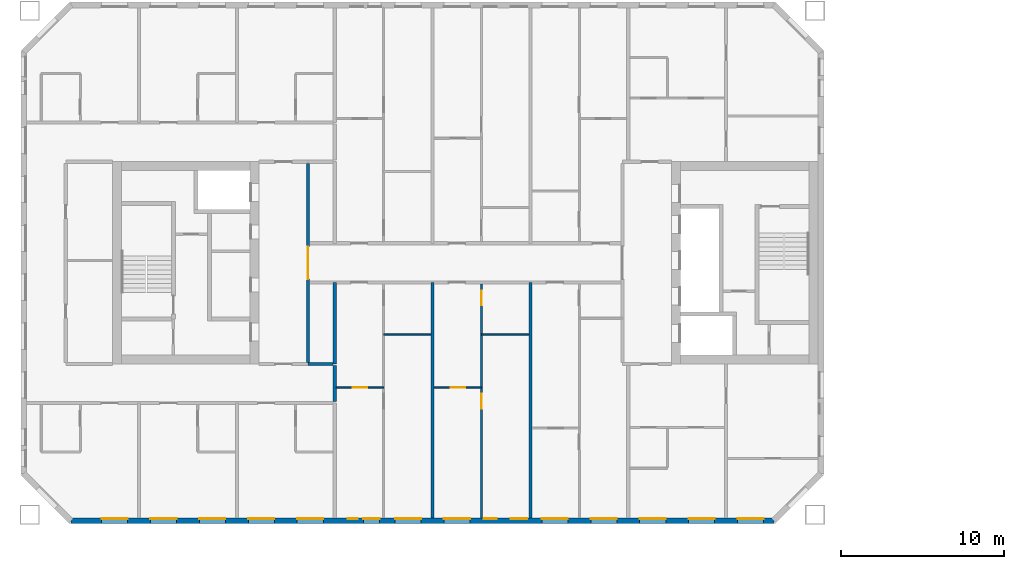
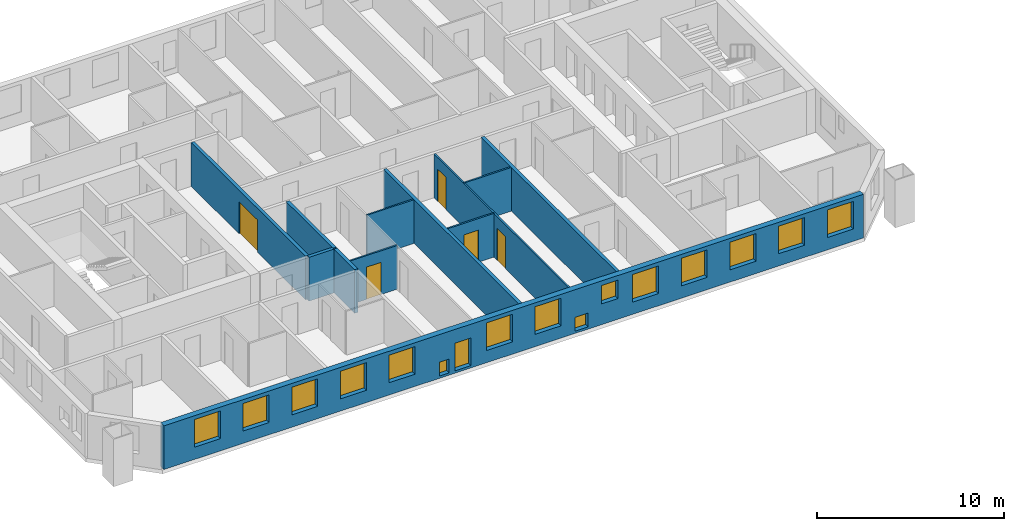
# One storey, part 4 of 16: 16 windows, 12 walls, 5 doors, 21 openings.
"""IFC4 building model written with IfcOpenShell, lengths in metres."""

from ifc_helpers import new_model, si_unit, direction, frame, frame_2d, origin, place, context, subcontext, project, spatial, rectangle, extrude, material, layer, layer_set, type_object, element, fill, save


model = new_model("IFC4")

# Units and contexts
model_context = context("Model", 3, precision=1e-05, world=origin(), true_north=direction((0.0, 1.0)))
body_context = subcontext(model_context, "Body", "Model", "MODEL_VIEW")
ifc_project = project(units=[si_unit("LENGTHUNIT", "METRE"), si_unit("AREAUNIT", "SQUARE_METRE"), si_unit("VOLUMEUNIT", "CUBIC_METRE"), si_unit("PLANEANGLEUNIT", "RADIAN"), si_unit("MASSUNIT", "GRAM", prefix="KILO")], contexts=[model_context])

# Site, building, storey
site_placement = place(None, origin())
site = spatial("IfcSite", under=ifc_project, at=site_placement, CompositionType="ELEMENT")
building_placement = place(site_placement, origin())
building = spatial("IfcBuilding", under=site, at=building_placement, Name="Tuart Gate Housing", CompositionType="ELEMENT")
storey_placement = place(building_placement, frame((0.0, 0.0, 136.10009765625)))
storey = spatial("IfcBuildingStorey", under=building, at=storey_placement, Name="L38", CompositionType="ELEMENT", Elevation=136.10009765625)

# Wall, openings, windows
ifc_material_1 = material(Name="Brick", Category="masonry")
ifc_layer_1 = layer(ifc_material_1, 0.360107421875)
ifc_layer_set_1 = layer_set([ifc_layer_1], Name="Brick pier and spandrel wall 360")
wall_type_1 = type_object("IfcWallType", Name="Brick pier and spandrel wall 360", PredefinedType="STANDARD", material=ifc_layer_set_1)
wall_1_placement = place(storey_placement, frame((29.82470703125, 54.179931640625, 0.0), z_axis=(0.0, 0.0, 1.0), x_axis=(1.0, 0.0, 0.0)))
wall_1 = element("IfcWall", 1, at=wall_1_placement, inside=storey, type_object=wall_type_1, Name="External wall A-S L38", PredefinedType="STANDARD", context=body_context, shape_type="SweptSolid", body=[
    extrude(rectangle(XDim=43.100830078125, YDim=0.360107421875, at=frame_2d((21.55029296875, 0.0))), origin(), (0.0, 0.0, 1.0), 2.849853515625),
])
opening_1_placement = place(wall_1_placement, frame((1.87548828125, 0.0, 0.800048828125)))
opening_1 = element("IfcOpeningElement", 2, at=opening_1_placement, cuts=wall_1, Name="Opening W1", PredefinedType="OPENING", context=body_context, shape_type="SweptSolid", body=[
    extrude(rectangle(XDim=1.60009765625, YDim=1.800048828125, at=frame_2d((0.800048828125, 0.89990234375))), frame((0.0, 0.18994140625, 0.0), z_axis=(0.0, -1.0, 0.0), x_axis=(1.0, 0.0, 0.0)), (0.0, 0.0, 1.0), 0.380126953125),
])
opening_2_placement = place(wall_1_placement, frame((4.87548828125, 0.0, 0.800048828125)))
opening_2 = element("IfcOpeningElement", 3, at=opening_2_placement, cuts=wall_1, Name="Opening W1", PredefinedType="OPENING", context=body_context, shape_type="SweptSolid", body=[
    extrude(rectangle(XDim=1.60009765625, YDim=1.800048828125, at=frame_2d((0.800048828125, 0.89990234375))), frame((0.0, 0.18994140625, 0.0), z_axis=(0.0, -1.0, 0.0), x_axis=(1.0, 0.0, 0.0)), (0.0, 0.0, 1.0), 0.380126953125),
])
opening_3_placement = place(wall_1_placement, frame((7.87548828125, 0.0, 0.800048828125)))
opening_3 = element("IfcOpeningElement", 4, at=opening_3_placement, cuts=wall_1, Name="Opening W1", PredefinedType="OPENING", context=body_context, shape_type="SweptSolid", body=[
    extrude(rectangle(XDim=1.60009765625, YDim=1.800048828125, at=frame_2d((0.800048828125, 0.89990234375))), frame((0.0, 0.18994140625, 0.0), z_axis=(0.0, -1.0, 0.0), x_axis=(1.0, 0.0, 0.0)), (0.0, 0.0, 1.0), 0.380126953125),
])
opening_4_placement = place(wall_1_placement, frame((10.87548828125, 0.0, 0.800048828125)))
opening_4 = element("IfcOpeningElement", 5, at=opening_4_placement, cuts=wall_1, Name="Opening W1", PredefinedType="OPENING", context=body_context, shape_type="SweptSolid", body=[
    extrude(rectangle(XDim=1.60009765625, YDim=1.800048828125, at=frame_2d((0.800048828125, 0.89990234375))), frame((0.0, 0.18994140625, 0.0), z_axis=(0.0, -1.0, 0.0), x_axis=(1.0, 0.0, 0.0)), (0.0, 0.0, 1.0), 0.380126953125),
])
opening_5_placement = place(wall_1_placement, frame((13.87548828125, 0.0, 0.800048828125)))
opening_5 = element("IfcOpeningElement", 6, at=opening_5_placement, cuts=wall_1, Name="Opening W1", PredefinedType="OPENING", context=body_context, shape_type="SweptSolid", body=[
    extrude(rectangle(XDim=1.60009765625, YDim=1.800048828125, at=frame_2d((0.800048828125, 0.89990234375))), frame((0.0, 0.18994140625, 0.0), z_axis=(0.0, -1.0, 0.0), x_axis=(1.0, 0.0, 0.0)), (0.0, 0.0, 1.0), 0.380126953125),
])
opening_6_placement = place(wall_1_placement, frame((16.975341796875, 0.0, 0.14990234375)))
opening_6 = element("IfcOpeningElement", 7, at=opening_6_placement, cuts=wall_1, Name="Opening W1W", PredefinedType="OPENING", context=body_context, shape_type="SweptSolid", body=[
    extrude(rectangle(XDim=0.60009765625, YDim=0.89990234375, at=frame_2d((0.300048828125, 0.449951171875))), frame((0.0, 0.18994140625, 0.0), z_axis=(0.0, -1.0, 0.0), x_axis=(1.0, 0.0, 0.0)), (0.0, 0.0, 1.0), 0.380126953125),
])
opening_7_placement = place(wall_1_placement, frame((19.87548828125, 0.0, 0.800048828125)))
opening_7 = element("IfcOpeningElement", 8, at=opening_7_placement, cuts=wall_1, Name="Opening W1", PredefinedType="OPENING", context=body_context, shape_type="SweptSolid", body=[
    extrude(rectangle(XDim=1.60009765625, YDim=1.800048828125, at=frame_2d((0.800048828125, 0.89990234375))), frame((0.0, 0.18994140625, 0.0), z_axis=(0.0, -1.0, 0.0), x_axis=(1.0, 0.0, 0.0)), (0.0, 0.0, 1.0), 0.380126953125),
])
opening_8_placement = place(wall_1_placement, frame((22.87548828125, 0.0, 0.800048828125)))
opening_8 = element("IfcOpeningElement", 9, at=opening_8_placement, cuts=wall_1, Name="Opening W1", PredefinedType="OPENING", context=body_context, shape_type="SweptSolid", body=[
    extrude(rectangle(XDim=1.60009765625, YDim=1.800048828125, at=frame_2d((0.800048828125, 0.89990234375))), frame((0.0, 0.18994140625, 0.0), z_axis=(0.0, -1.0, 0.0), x_axis=(1.0, 0.0, 0.0)), (0.0, 0.0, 1.0), 0.380126953125),
])
opening_9_placement = place(wall_1_placement, frame((25.325439453125, 0.0, 0.14990234375)))
opening_9 = element("IfcOpeningElement", 10, at=opening_9_placement, cuts=wall_1, Name="Opening W1V", PredefinedType="OPENING", context=body_context, shape_type="SweptSolid", body=[
    extrude(rectangle(XDim=0.800048828125, YDim=0.89990234375, at=frame_2d((0.39990234375, 0.449951171875))), frame((0.0, 0.18994140625, 0.0), z_axis=(0.0, -1.0, 0.0), x_axis=(1.0, 0.0, 0.0)), (0.0, 0.0, 1.0), 0.380126953125),
])
opening_10_placement = place(wall_1_placement, frame((28.87548828125, 0.0, 0.800048828125)))
opening_10 = element("IfcOpeningElement", 11, at=opening_10_placement, cuts=wall_1, Name="Opening W1", PredefinedType="OPENING", context=body_context, shape_type="SweptSolid", body=[
    extrude(rectangle(XDim=1.60009765625, YDim=1.800048828125, at=frame_2d((0.800048828125, 0.89990234375))), frame((0.0, 0.18994140625, 0.0), z_axis=(0.0, -1.0, 0.0), x_axis=(1.0, 0.0, 0.0)), (0.0, 0.0, 1.0), 0.380126953125),
])
opening_11_placement = place(wall_1_placement, frame((31.87548828125, 0.0, 0.800048828125)))
opening_11 = element("IfcOpeningElement", 12, at=opening_11_placement, cuts=wall_1, Name="Opening W1", PredefinedType="OPENING", context=body_context, shape_type="SweptSolid", body=[
    extrude(rectangle(XDim=1.60009765625, YDim=1.800048828125, at=frame_2d((0.800048828125, 0.89990234375))), frame((0.0, 0.18994140625, 0.0), z_axis=(0.0, -1.0, 0.0), x_axis=(1.0, 0.0, 0.0)), (0.0, 0.0, 1.0), 0.380126953125),
])
opening_12_placement = place(wall_1_placement, frame((34.87548828125, 0.0, 0.800048828125)))
opening_12 = element("IfcOpeningElement", 13, at=opening_12_placement, cuts=wall_1, Name="Opening W1", PredefinedType="OPENING", context=body_context, shape_type="SweptSolid", body=[
    extrude(rectangle(XDim=1.60009765625, YDim=1.800048828125, at=frame_2d((0.800048828125, 0.89990234375))), frame((0.0, 0.18994140625, 0.0), z_axis=(0.0, -1.0, 0.0), x_axis=(1.0, 0.0, 0.0)), (0.0, 0.0, 1.0), 0.380126953125),
])
opening_13_placement = place(wall_1_placement, frame((37.87548828125, 0.0, 0.800048828125)))
opening_13 = element("IfcOpeningElement", 14, at=opening_13_placement, cuts=wall_1, Name="Opening W1", PredefinedType="OPENING", context=body_context, shape_type="SweptSolid", body=[
    extrude(rectangle(XDim=1.60009765625, YDim=1.800048828125, at=frame_2d((0.800048828125, 0.89990234375))), frame((0.0, 0.18994140625, 0.0), z_axis=(0.0, -1.0, 0.0), x_axis=(1.0, 0.0, 0.0)), (0.0, 0.0, 1.0), 0.380126953125),
])
opening_14_placement = place(wall_1_placement, frame((40.87548828125, 0.0, 0.800048828125)))
opening_14 = element("IfcOpeningElement", 15, at=opening_14_placement, cuts=wall_1, Name="Opening W1", PredefinedType="OPENING", context=body_context, shape_type="SweptSolid", body=[
    extrude(rectangle(XDim=1.60009765625, YDim=1.800048828125, at=frame_2d((0.800048828125, 0.89990234375))), frame((0.0, 0.18994140625, 0.0), z_axis=(0.0, -1.0, 0.0), x_axis=(1.0, 0.0, 0.0)), (0.0, 0.0, 1.0), 0.380126953125),
])
opening_15_placement = place(wall_1_placement, frame((17.92529296875, 0.0, 0.14990234375)))
opening_15 = element("IfcOpeningElement", 16, at=opening_15_placement, cuts=wall_1, Name="Opening W1C", PredefinedType="OPENING", context=body_context, shape_type="SweptSolid", body=[
    extrude(rectangle(XDim=1.0, YDim=1.800048828125, at=frame_2d((0.5, 0.89990234375))), frame((0.0, 0.18994140625, 0.0), z_axis=(0.0, -1.0, 0.0), x_axis=(1.0, 0.0, 0.0)), (0.0, 0.0, 1.0), 0.380126953125),
])
opening_16_placement = place(wall_1_placement, frame((26.975341796875, 0.0, 1.35009765625)))
opening_16 = element("IfcOpeningElement", 17, at=opening_16_placement, cuts=wall_1, Name="Opening W1O", PredefinedType="OPENING", context=body_context, shape_type="SweptSolid", body=[
    extrude(rectangle(XDim=1.0, YDim=1.199951171875, at=frame_2d((0.5, 0.60009765625))), frame((0.0, 0.18994140625, 0.0), z_axis=(0.0, -1.0, 0.0), x_axis=(1.0, 0.0, 0.0)), (0.0, 0.0, 1.0), 0.380126953125),
])
ifc_material_2 = material(Name="Aluminium frame with clear glass", Category="aluminium")
window_type_1 = type_object("IfcWindowType", Name="Punched window 1000 x 1200", PartitioningType="SINGLE_PANEL", PredefinedType="WINDOW", material=ifc_material_2)
window_1_placement = place(opening_16_placement, origin())
window_1 = element("IfcWindow", 18, at=window_1_placement, inside=storey, type_object=window_type_1, Name="Window W1O", OverallHeight=1.199951171875, OverallWidth=1.0, PartitioningType="SINGLE_PANEL", PredefinedType="WINDOW", context=body_context, shape_type="SweptSolid", body=[
    extrude(rectangle(XDim=1.0, YDim=1.199951171875, at=frame_2d((0.5, 0.60009765625))), frame((0.0, 0.150146484375, 0.0), z_axis=(0.0, -1.0, 0.0), x_axis=(1.0, 0.0, 0.0)), (0.0, 0.0, 1.0), 0.06005859375),
])
fill(opening_16, window_1)
ifc_material_3 = material(Name="Aluminium frame with clear glass", Category="aluminium")
window_type_2 = type_object("IfcWindowType", Name="Punched window 1000 x 1800", PartitioningType="SINGLE_PANEL", PredefinedType="WINDOW", material=ifc_material_3)
window_2_placement = place(opening_15_placement, origin())
window_2 = element("IfcWindow", 19, at=window_2_placement, inside=storey, type_object=window_type_2, Name="Window W1C", OverallHeight=1.800048828125, OverallWidth=1.0, PartitioningType="SINGLE_PANEL", PredefinedType="WINDOW", context=body_context, shape_type="SweptSolid", body=[
    extrude(rectangle(XDim=1.0, YDim=1.800048828125, at=frame_2d((0.5, 0.89990234375))), frame((0.0, 0.150146484375, 0.0), z_axis=(0.0, -1.0, 0.0), x_axis=(1.0, 0.0, 0.0)), (0.0, 0.0, 1.0), 0.06005859375),
])
fill(opening_15, window_2)
ifc_material_4 = material(Name="Aluminium frame with clear glass", Category="aluminium")
window_type_3 = type_object("IfcWindowType", Name="Punched window 1600 x 1800", PartitioningType="SINGLE_PANEL", PredefinedType="WINDOW", material=ifc_material_4)
window_3_placement = place(opening_1_placement, origin())
window_3 = element("IfcWindow", 20, at=window_3_placement, inside=storey, type_object=window_type_3, Name="Window W1", OverallHeight=1.800048828125, OverallWidth=1.60009765625, PartitioningType="SINGLE_PANEL", PredefinedType="WINDOW", context=body_context, shape_type="SweptSolid", body=[
    extrude(rectangle(XDim=1.60009765625, YDim=1.800048828125, at=frame_2d((0.800048828125, 0.89990234375))), frame((0.0, 0.150146484375, 0.0), z_axis=(0.0, -1.0, 0.0), x_axis=(1.0, 0.0, 0.0)), (0.0, 0.0, 1.0), 0.06005859375),
])
fill(opening_1, window_3)
window_4_placement = place(opening_2_placement, origin())
window_4 = element("IfcWindow", 21, at=window_4_placement, inside=storey, type_object=window_type_3, Name="Window W1", OverallHeight=1.800048828125, OverallWidth=1.60009765625, PartitioningType="SINGLE_PANEL", PredefinedType="WINDOW", context=body_context, shape_type="SweptSolid", body=[
    extrude(rectangle(XDim=1.60009765625, YDim=1.800048828125, at=frame_2d((0.800048828125, 0.89990234375))), frame((0.0, 0.150146484375, 0.0), z_axis=(0.0, -1.0, 0.0), x_axis=(1.0, 0.0, 0.0)), (0.0, 0.0, 1.0), 0.06005859375),
])
fill(opening_2, window_4)
window_5_placement = place(opening_3_placement, origin())
window_5 = element("IfcWindow", 22, at=window_5_placement, inside=storey, type_object=window_type_3, Name="Window W1", OverallHeight=1.800048828125, OverallWidth=1.60009765625, PartitioningType="SINGLE_PANEL", PredefinedType="WINDOW", context=body_context, shape_type="SweptSolid", body=[
    extrude(rectangle(XDim=1.60009765625, YDim=1.800048828125, at=frame_2d((0.800048828125, 0.89990234375))), frame((0.0, 0.150146484375, 0.0), z_axis=(0.0, -1.0, 0.0), x_axis=(1.0, 0.0, 0.0)), (0.0, 0.0, 1.0), 0.06005859375),
])
fill(opening_3, window_5)
window_6_placement = place(opening_4_placement, origin())
window_6 = element("IfcWindow", 23, at=window_6_placement, inside=storey, type_object=window_type_3, Name="Window W1", OverallHeight=1.800048828125, OverallWidth=1.60009765625, PartitioningType="SINGLE_PANEL", PredefinedType="WINDOW", context=body_context, shape_type="SweptSolid", body=[
    extrude(rectangle(XDim=1.60009765625, YDim=1.800048828125, at=frame_2d((0.800048828125, 0.89990234375))), frame((0.0, 0.150146484375, 0.0), z_axis=(0.0, -1.0, 0.0), x_axis=(1.0, 0.0, 0.0)), (0.0, 0.0, 1.0), 0.06005859375),
])
fill(opening_4, window_6)
window_7_placement = place(opening_5_placement, origin())
window_7 = element("IfcWindow", 24, at=window_7_placement, inside=storey, type_object=window_type_3, Name="Window W1", OverallHeight=1.800048828125, OverallWidth=1.60009765625, PartitioningType="SINGLE_PANEL", PredefinedType="WINDOW", context=body_context, shape_type="SweptSolid", body=[
    extrude(rectangle(XDim=1.60009765625, YDim=1.800048828125, at=frame_2d((0.800048828125, 0.89990234375))), frame((0.0, 0.150146484375, 0.0), z_axis=(0.0, -1.0, 0.0), x_axis=(1.0, 0.0, 0.0)), (0.0, 0.0, 1.0), 0.06005859375),
])
fill(opening_5, window_7)
window_8_placement = place(opening_7_placement, origin())
window_8 = element("IfcWindow", 25, at=window_8_placement, inside=storey, type_object=window_type_3, Name="Window W1", OverallHeight=1.800048828125, OverallWidth=1.60009765625, PartitioningType="SINGLE_PANEL", PredefinedType="WINDOW", context=body_context, shape_type="SweptSolid", body=[
    extrude(rectangle(XDim=1.60009765625, YDim=1.800048828125, at=frame_2d((0.800048828125, 0.89990234375))), frame((0.0, 0.150146484375, 0.0), z_axis=(0.0, -1.0, 0.0), x_axis=(1.0, 0.0, 0.0)), (0.0, 0.0, 1.0), 0.06005859375),
])
fill(opening_7, window_8)
window_9_placement = place(opening_8_placement, origin())
window_9 = element("IfcWindow", 26, at=window_9_placement, inside=storey, type_object=window_type_3, Name="Window W1", OverallHeight=1.800048828125, OverallWidth=1.60009765625, PartitioningType="SINGLE_PANEL", PredefinedType="WINDOW", context=body_context, shape_type="SweptSolid", body=[
    extrude(rectangle(XDim=1.60009765625, YDim=1.800048828125, at=frame_2d((0.800048828125, 0.89990234375))), frame((0.0, 0.150146484375, 0.0), z_axis=(0.0, -1.0, 0.0), x_axis=(1.0, 0.0, 0.0)), (0.0, 0.0, 1.0), 0.06005859375),
])
fill(opening_8, window_9)
window_10_placement = place(opening_10_placement, origin())
window_10 = element("IfcWindow", 27, at=window_10_placement, inside=storey, type_object=window_type_3, Name="Window W1", OverallHeight=1.800048828125, OverallWidth=1.60009765625, PartitioningType="SINGLE_PANEL", PredefinedType="WINDOW", context=body_context, shape_type="SweptSolid", body=[
    extrude(rectangle(XDim=1.60009765625, YDim=1.800048828125, at=frame_2d((0.800048828125, 0.89990234375))), frame((0.0, 0.150146484375, 0.0), z_axis=(0.0, -1.0, 0.0), x_axis=(1.0, 0.0, 0.0)), (0.0, 0.0, 1.0), 0.06005859375),
])
fill(opening_10, window_10)
window_11_placement = place(opening_11_placement, origin())
window_11 = element("IfcWindow", 28, at=window_11_placement, inside=storey, type_object=window_type_3, Name="Window W1", OverallHeight=1.800048828125, OverallWidth=1.60009765625, PartitioningType="SINGLE_PANEL", PredefinedType="WINDOW", context=body_context, shape_type="SweptSolid", body=[
    extrude(rectangle(XDim=1.60009765625, YDim=1.800048828125, at=frame_2d((0.800048828125, 0.89990234375))), frame((0.0, 0.150146484375, 0.0), z_axis=(0.0, -1.0, 0.0), x_axis=(1.0, 0.0, 0.0)), (0.0, 0.0, 1.0), 0.06005859375),
])
fill(opening_11, window_11)
window_12_placement = place(opening_12_placement, origin())
window_12 = element("IfcWindow", 29, at=window_12_placement, inside=storey, type_object=window_type_3, Name="Window W1", OverallHeight=1.800048828125, OverallWidth=1.60009765625, PartitioningType="SINGLE_PANEL", PredefinedType="WINDOW", context=body_context, shape_type="SweptSolid", body=[
    extrude(rectangle(XDim=1.60009765625, YDim=1.800048828125, at=frame_2d((0.800048828125, 0.89990234375))), frame((0.0, 0.150146484375, 0.0), z_axis=(0.0, -1.0, 0.0), x_axis=(1.0, 0.0, 0.0)), (0.0, 0.0, 1.0), 0.06005859375),
])
fill(opening_12, window_12)
window_13_placement = place(opening_13_placement, origin())
window_13 = element("IfcWindow", 30, at=window_13_placement, inside=storey, type_object=window_type_3, Name="Window W1", OverallHeight=1.800048828125, OverallWidth=1.60009765625, PartitioningType="SINGLE_PANEL", PredefinedType="WINDOW", context=body_context, shape_type="SweptSolid", body=[
    extrude(rectangle(XDim=1.60009765625, YDim=1.800048828125, at=frame_2d((0.800048828125, 0.89990234375))), frame((0.0, 0.150146484375, 0.0), z_axis=(0.0, -1.0, 0.0), x_axis=(1.0, 0.0, 0.0)), (0.0, 0.0, 1.0), 0.06005859375),
])
fill(opening_13, window_13)
window_14_placement = place(opening_14_placement, origin())
window_14 = element("IfcWindow", 31, at=window_14_placement, inside=storey, type_object=window_type_3, Name="Window W1", OverallHeight=1.800048828125, OverallWidth=1.60009765625, PartitioningType="SINGLE_PANEL", PredefinedType="WINDOW", context=body_context, shape_type="SweptSolid", body=[
    extrude(rectangle(XDim=1.60009765625, YDim=1.800048828125, at=frame_2d((0.800048828125, 0.89990234375))), frame((0.0, 0.150146484375, 0.0), z_axis=(0.0, -1.0, 0.0), x_axis=(1.0, 0.0, 0.0)), (0.0, 0.0, 1.0), 0.06005859375),
])
fill(opening_14, window_14)
ifc_material_5 = material(Name="Aluminium frame with clear glass", Category="aluminium")
window_type_4 = type_object("IfcWindowType", Name="Punched window 600 x 900", PartitioningType="SINGLE_PANEL", PredefinedType="WINDOW", material=ifc_material_5)
window_15_placement = place(opening_6_placement, origin())
window_15 = element("IfcWindow", 32, at=window_15_placement, inside=storey, type_object=window_type_4, Name="Window W1W", OverallHeight=0.89990234375, OverallWidth=0.60009765625, PartitioningType="SINGLE_PANEL", PredefinedType="WINDOW", context=body_context, shape_type="SweptSolid", body=[
    extrude(rectangle(XDim=0.60009765625, YDim=0.89990234375, at=frame_2d((0.300048828125, 0.449951171875))), frame((0.0, 0.150146484375, 0.0), z_axis=(0.0, -1.0, 0.0), x_axis=(1.0, 0.0, 0.0)), (0.0, 0.0, 1.0), 0.06005859375),
])
fill(opening_6, window_15)
ifc_material_6 = material(Name="Aluminium frame with clear glass", Category="aluminium")
window_type_5 = type_object("IfcWindowType", Name="Punched window 800 x 900", PartitioningType="SINGLE_PANEL", PredefinedType="WINDOW", material=ifc_material_6)
window_16_placement = place(opening_9_placement, origin())
window_16 = element("IfcWindow", 33, at=window_16_placement, inside=storey, type_object=window_type_5, Name="Window W1V", OverallHeight=0.89990234375, OverallWidth=0.800048828125, PartitioningType="SINGLE_PANEL", PredefinedType="WINDOW", context=body_context, shape_type="SweptSolid", body=[
    extrude(rectangle(XDim=0.800048828125, YDim=0.89990234375, at=frame_2d((0.39990234375, 0.449951171875))), frame((0.0, 0.150146484375, 0.0), z_axis=(0.0, -1.0, 0.0), x_axis=(1.0, 0.0, 0.0)), (0.0, 0.0, 1.0), 0.06005859375),
])
fill(opening_9, window_16)

# Walls
ifc_material_7 = material(Name="Concrete masonry 15 MPa", Category="masonry")
ifc_layer_2 = layer(ifc_material_7, 0.199951171875)
ifc_layer_set_2 = layer_set([ifc_layer_2], Name="Corridor wall masonry 200")
wall_type_2 = type_object("IfcWallType", Name="Corridor wall masonry 200", PredefinedType="PARTITIONING", material=ifc_layer_set_2)
wall_2_placement = place(storey_placement, frame((44.360107421875, 63.800048828125, 0.0), z_axis=(0.0, 0.0, 1.0), x_axis=(1.0, 0.0, 0.0)))
element("IfcWall", 34, at=wall_2_placement, inside=storey, type_object=wall_type_2, Name="Corridor wall masonry 200", PredefinedType="PARTITIONING", context=body_context, shape_type="SweptSolid", body=[
    extrude(rectangle(XDim=1.539794921875, YDim=0.199951171875, at=frame_2d((0.77001953125, 0.0))), origin(), (0.0, 0.0, 1.0), 2.849853515625),
])
wall_3_placement = place(storey_placement, frame((46.0, 61.5, 0.0), z_axis=(0.0, 0.0, 1.0), x_axis=(0.0, 1.0, 0.0)))
element("IfcWall", 35, at=wall_3_placement, inside=storey, type_object=wall_type_2, Name="Corridor wall masonry 200", PredefinedType="PARTITIONING", context=body_context, shape_type="SweptSolid", body=[
    extrude(rectangle(XDim=2.199951171875, YDim=0.199951171875, at=frame_2d((1.10009765625, 0.0))), origin(), (0.0, 0.0, 1.0), 2.849853515625),
])

# Wall, opening, door
ifc_material_8 = material(Name="Plasterboard partition")
ifc_layer_3 = layer(ifc_material_8, 0.199951171875)
ifc_layer_set_3 = layer_set([ifc_layer_3], Name="Lobby wall 200")
wall_type_3 = type_object("IfcWallType", Name="Lobby wall 200", PredefinedType="PARTITIONING", material=ifc_layer_set_3)
wall_4_placement = place(storey_placement, frame((44.360107421875, 63.89990234375, 0.0), z_axis=(0.0, 0.0, 1.0), x_axis=(0.0, 1.0, 0.0)))
wall_4 = element("IfcWall", 36, at=wall_4_placement, inside=storey, type_object=wall_type_3, Name="Lift lobby wall AK", PredefinedType="PARTITIONING", context=body_context, shape_type="SweptSolid", body=[
    extrude(rectangle(XDim=12.2001953125, YDim=0.199951171875, at=frame_2d((6.10009765625, 0.0))), origin(), (0.0, 0.0, 1.0), 2.849853515625),
])
opening_17_placement = place(wall_4_placement, frame((5.10009765625, 0.0, 0.0)))
opening_17 = element("IfcOpeningElement", 37, at=opening_17_placement, cuts=wall_4, Name="Opening D1434", PredefinedType="OPENING", context=body_context, shape_type="SweptSolid", body=[
    extrude(rectangle(XDim=2.0, YDim=2.10009765625, at=frame_2d((1.0, 1.050048828125))), frame((0.0, 0.10986328125, 0.0), z_axis=(0.0, -1.0, 0.0), x_axis=(1.0, 0.0, 0.0)), (0.0, 0.0, 1.0), 0.219970703125),
])
ifc_material_9 = material(Name="Steel fire door", Category="steel")
door_type_1 = type_object("IfcDoorType", Name="Smoke door 2000 x 2100", OperationType="DOUBLE_DOOR_SINGLE_SWING", PredefinedType="DOOR", material=ifc_material_9)
door_1_placement = place(opening_17_placement, origin())
door_1 = element("IfcDoor", 38, at=door_1_placement, inside=storey, type_object=door_type_1, Name="Lift lobby smoke door AK", OperationType="DOUBLE_DOOR_SINGLE_SWING", OverallHeight=2.10009765625, OverallWidth=2.0, PredefinedType="DOOR", context=body_context, shape_type="SweptSolid", body=[
    extrude(rectangle(XDim=2.0, YDim=2.10009765625, at=frame_2d((1.0, 1.050048828125))), frame((0.0, 0.02490234375, 0.0), z_axis=(0.0, -1.0, 0.0), x_axis=(1.0, 0.0, 0.0)), (0.0, 0.0, 1.0), 0.050048828125),
])
fill(opening_17, door_1)

ifc_material_10 = material(Name="Gypsum board on steel studs", Category="steel")
ifc_layer_4 = layer(ifc_material_10, 0.10009765625)
ifc_layer_set_4 = layer_set([ifc_layer_4], Name="Partition 100")
wall_type_4 = type_object("IfcWallType", Name="Partition 100", PredefinedType="PARTITIONING", material=ifc_layer_set_4)
wall_5_placement = place(storey_placement, frame((46.10009765625, 62.360107421875, 0.0), z_axis=(0.0, 0.0, 1.0), x_axis=(1.0, 0.0, 0.0)))
wall_5 = element("IfcWall", 39, at=wall_5_placement, inside=storey, type_object=wall_type_4, Name="Partition 100", PredefinedType="PARTITIONING", context=body_context, shape_type="SweptSolid", body=[
    extrude(rectangle(XDim=2.89990234375, YDim=0.10009765625, at=frame_2d((1.449951171875, 0.0))), origin(), (0.0, 0.0, 1.0), 2.849853515625),
])
opening_18_placement = place(wall_5_placement, frame((1.0, 0.0, 0.0)))
opening_18 = element("IfcOpeningElement", 40, at=opening_18_placement, cuts=wall_5, Name="Opening D1445", PredefinedType="OPENING", context=body_context, shape_type="SweptSolid", body=[
    extrude(rectangle(XDim=0.89990234375, YDim=2.10009765625, at=frame_2d((0.449951171875, 1.050048828125))), frame((0.0, 0.06005859375, 0.0), z_axis=(0.0, -1.0, 0.0), x_axis=(1.0, 0.0, 0.0)), (0.0, 0.0, 1.0), 0.1201171875),
])
ifc_material_11 = material(Name="Timber door leaf in steel frame", Category="steel")
door_type_2 = type_object("IfcDoorType", Name="Internal door 900 RH", OperationType="SINGLE_SWING_RIGHT", PredefinedType="DOOR", material=ifc_material_11)
door_2_placement = place(opening_18_placement, origin())
door_2 = element("IfcDoor", 41, at=door_2_placement, inside=storey, type_object=door_type_2, Name="Internal door", OperationType="SINGLE_SWING_RIGHT", OverallHeight=2.10009765625, OverallWidth=0.89990234375, PredefinedType="DOOR", context=body_context, shape_type="SweptSolid", body=[
    extrude(rectangle(XDim=0.89990234375, YDim=2.10009765625, at=frame_2d((0.449951171875, 1.050048828125))), frame((0.0, 0.02490234375, 0.0), z_axis=(0.0, -1.0, 0.0), x_axis=(1.0, 0.0, 0.0)), (0.0, 0.0, 1.0), 0.050048828125),
])
fill(opening_18, door_2)

wall_6_placement = place(storey_placement, frame((52.10009765625, 62.360107421875, 0.0), z_axis=(0.0, 0.0, 1.0), x_axis=(1.0, 0.0, 0.0)))
wall_6 = element("IfcWall", 42, at=wall_6_placement, inside=storey, type_object=wall_type_4, Name="Partition 100", PredefinedType="PARTITIONING", context=body_context, shape_type="SweptSolid", body=[
    extrude(rectangle(XDim=2.89990234375, YDim=0.10009765625, at=frame_2d((1.449951171875, 0.0))), origin(), (0.0, 0.0, 1.0), 2.849853515625),
])
opening_19_placement = place(wall_6_placement, frame((1.0, 0.0, 0.0)))
opening_19 = element("IfcOpeningElement", 43, at=opening_19_placement, cuts=wall_6, Name="Opening D1446", PredefinedType="OPENING", context=body_context, shape_type="SweptSolid", body=[
    extrude(rectangle(XDim=0.89990234375, YDim=2.10009765625, at=frame_2d((0.449951171875, 1.050048828125))), frame((0.0, 0.06005859375, 0.0), z_axis=(0.0, -1.0, 0.0), x_axis=(1.0, 0.0, 0.0)), (0.0, 0.0, 1.0), 0.1201171875),
])
door_3_placement = place(opening_19_placement, origin())
door_3 = element("IfcDoor", 44, at=door_3_placement, inside=storey, type_object=door_type_2, Name="Internal door", OperationType="SINGLE_SWING_RIGHT", OverallHeight=2.10009765625, OverallWidth=0.89990234375, PredefinedType="DOOR", context=body_context, shape_type="SweptSolid", body=[
    extrude(rectangle(XDim=0.89990234375, YDim=2.10009765625, at=frame_2d((0.449951171875, 1.050048828125))), frame((0.0, 0.02490234375, 0.0), z_axis=(0.0, -1.0, 0.0), x_axis=(1.0, 0.0, 0.0)), (0.0, 0.0, 1.0), 0.050048828125),
])
fill(opening_19, door_3)

# Walls
for number, where, z_axis, x_axis, name in (
    (45, (49.0, 65.60009765625, 0.0), (0.0, 0.0, 1.0), (1.0, 0.0, 0.0), "Partition 100"),
    (46, (55.0, 65.60009765625, 0.0), (0.0, 0.0, 1.0), (1.0, 0.0, 0.0), "Partition 100"),
):
    element("IfcWall", number, at=place(storey_placement, frame(where, z_axis=z_axis, x_axis=x_axis)), inside=storey, type_object=wall_type_4, Name=name, PredefinedType="PARTITIONING", context=body_context, shape_type="SweptSolid", body=[
        extrude(rectangle(XDim=2.89990234375, YDim=0.10009765625, at=frame_2d((1.449951171875, 0.0))), origin(), (0.0, 0.0, 1.0), 2.849853515625),
    ])

# Wall, openings, doors
wall_7_placement = place(storey_placement, frame((55.0, 54.360107421875, 0.0), z_axis=(0.0, 0.0, 1.0), x_axis=(0.0, 1.0, 0.0)))
wall_7 = element("IfcWall", 47, at=wall_7_placement, inside=storey, type_object=wall_type_4, Name="Partition 100", PredefinedType="PARTITIONING", context=body_context, shape_type="SweptSolid", body=[
    extrude(rectangle(XDim=14.33984375, YDim=0.10009765625, at=frame_2d((7.169921875, 0.0))), origin(), (0.0, 0.0, 1.0), 2.849853515625),
])
opening_20_placement = place(wall_7_placement, frame((6.699951171875, 0.0, 0.0)))
opening_20 = element("IfcOpeningElement", 48, at=opening_20_placement, cuts=wall_7, Name="Opening D1450", PredefinedType="OPENING", context=body_context, shape_type="SweptSolid", body=[
    extrude(rectangle(XDim=0.89990234375, YDim=2.10009765625, at=frame_2d((0.449951171875, 1.050048828125))), frame((0.0, 0.06005859375, 0.0), z_axis=(0.0, -1.0, 0.0), x_axis=(1.0, 0.0, 0.0)), (0.0, 0.0, 1.0), 0.1201171875),
])
opening_21_placement = place(wall_7_placement, frame((13.0400390625, 0.0, 0.0)))
opening_21 = element("IfcOpeningElement", 49, at=opening_21_placement, cuts=wall_7, Name="Opening D1449", PredefinedType="OPENING", context=body_context, shape_type="SweptSolid", body=[
    extrude(rectangle(XDim=0.89990234375, YDim=2.10009765625, at=frame_2d((0.449951171875, 1.050048828125))), frame((0.0, 0.06005859375, 0.0), z_axis=(0.0, -1.0, 0.0), x_axis=(1.0, 0.0, 0.0)), (0.0, 0.0, 1.0), 0.1201171875),
])
ifc_material_12 = material(Name="Timber door leaf in steel frame", Category="steel")
door_type_3 = type_object("IfcDoorType", Name="Bathroom door 900", OperationType="SINGLE_SWING_LEFT", PredefinedType="DOOR", material=ifc_material_12)
door_4_placement = place(opening_21_placement, frame((0.89990234375, 0.0, 0.0), z_axis=(0.0, 0.0, 1.0), x_axis=(-1.0, 0.0, 0.0)))
door_4 = element("IfcDoor", 50, at=door_4_placement, inside=storey, type_object=door_type_3, Name="Bathroom door", OperationType="SINGLE_SWING_LEFT", OverallHeight=2.10009765625, OverallWidth=0.89990234375, PredefinedType="DOOR", context=body_context, shape_type="SweptSolid", body=[
    extrude(rectangle(XDim=0.89990234375, YDim=2.10009765625, at=frame_2d((0.449951171875, 1.050048828125))), frame((0.0, 0.025146484375, 0.0), z_axis=(0.0, -1.0, 0.0), x_axis=(1.0, 0.0, 0.0)), (0.0, 0.0, 1.0), 0.050048828125),
])
fill(opening_21, door_4)
ifc_material_13 = material(Name="Timber door leaf in steel frame", Category="steel")
door_type_4 = type_object("IfcDoorType", Name="Internal door 900", OperationType="SINGLE_SWING_LEFT", PredefinedType="DOOR", material=ifc_material_13)
door_5_placement = place(opening_20_placement, frame((0.89990234375, 0.0, 0.0), z_axis=(0.0, 0.0, 1.0), x_axis=(-1.0, 0.0, 0.0)))
door_5 = element("IfcDoor", 51, at=door_5_placement, inside=storey, type_object=door_type_4, Name="Internal door", OperationType="SINGLE_SWING_LEFT", OverallHeight=2.10009765625, OverallWidth=0.89990234375, PredefinedType="DOOR", context=body_context, shape_type="SweptSolid", body=[
    extrude(rectangle(XDim=0.89990234375, YDim=2.10009765625, at=frame_2d((0.449951171875, 1.050048828125))), frame((0.0, 0.025146484375, 0.0), z_axis=(0.0, -1.0, 0.0), x_axis=(1.0, 0.0, 0.0)), (0.0, 0.0, 1.0), 0.050048828125),
])
fill(opening_20, door_5)

# Walls
ifc_material_14 = material(Name="Concrete C40", Category="concrete")
ifc_layer_5 = layer(ifc_material_14, 0.199951171875)
ifc_layer_set_5 = layer_set([ifc_layer_5], Name="Party wall concrete C40 200")
wall_type_5 = type_object("IfcWallType", Name="Party wall concrete C40 200", PredefinedType="SOLIDWALL", material=ifc_layer_set_5)
wall_8_placement = place(storey_placement, frame((46.0, 63.800048828125, 0.0), z_axis=(0.0, 0.0, 1.0), x_axis=(0.0, 1.0, 0.0)))
element("IfcWall", 52, at=wall_8_placement, inside=storey, type_object=wall_type_5, Name="Party wall concrete C40 200", PredefinedType="SOLIDWALL", context=body_context, shape_type="SweptSolid", body=[
    extrude(rectangle(XDim=5.0, YDim=0.199951171875, at=frame_2d((2.5, 0.0))), origin(), (0.0, 0.0, 1.0), 2.849853515625),
])
for number, where, z_axis, x_axis, name in (
    (53, (52.0, 54.360107421875, 0.0), (0.0, 0.0, 1.0), (0.0, 1.0, 0.0), "Party wall concrete C40 200"),
    (54, (58.0, 54.360107421875, 0.0), (0.0, 0.0, 1.0), (0.0, 1.0, 0.0), "Party wall concrete C40 200"),
):
    element("IfcWall", number, at=place(storey_placement, frame(where, z_axis=z_axis, x_axis=x_axis)), inside=storey, type_object=wall_type_5, Name=name, PredefinedType="SOLIDWALL", context=body_context, shape_type="SweptSolid", body=[
        extrude(rectangle(XDim=14.43994140625, YDim=0.199951171875, at=frame_2d((7.219970703125, 0.0))), origin(), (0.0, 0.0, 1.0), 2.849853515625),
    ])

save(model, "model.ifc")
